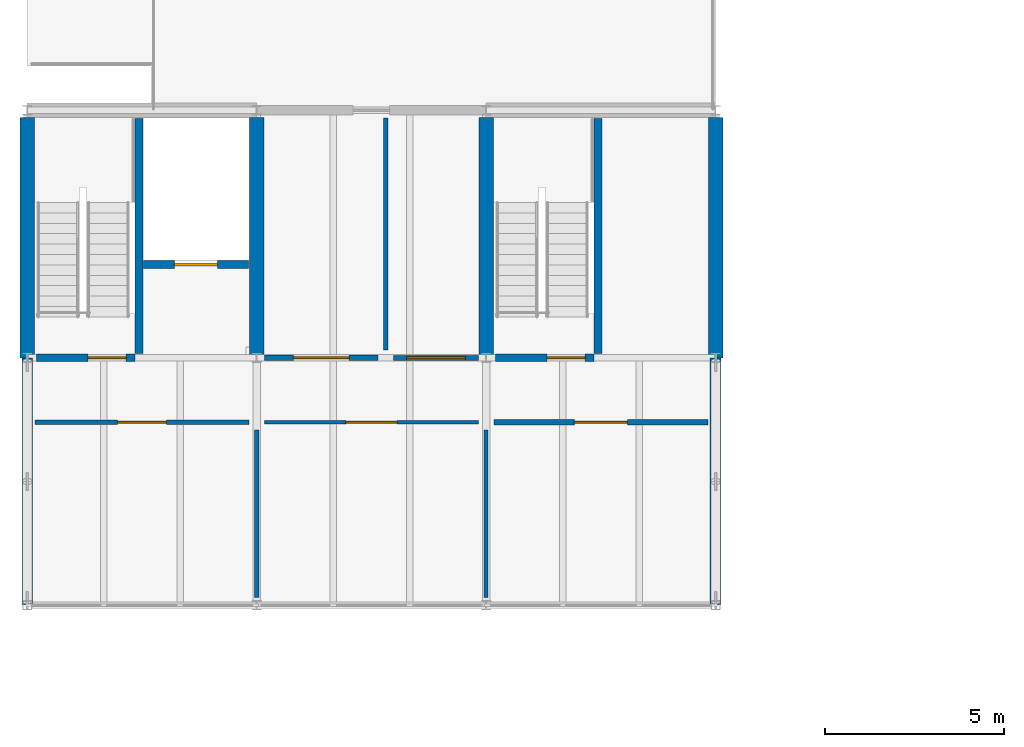
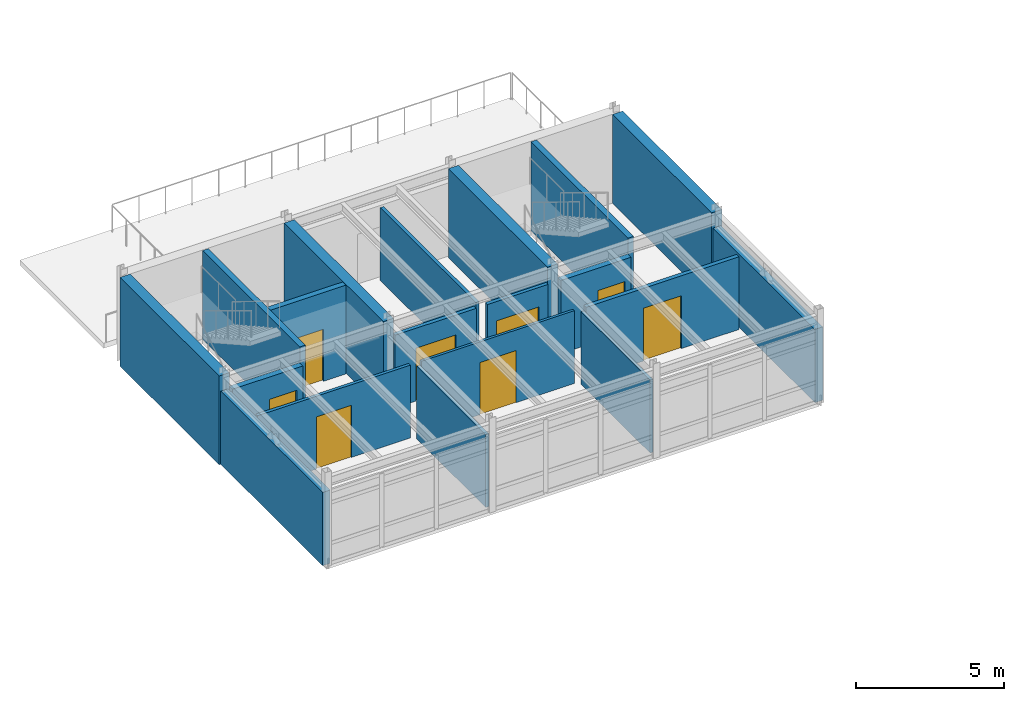
# One storey, part 16 of 20: 19 walls, 8 doors, 8 openings.
"""IFC4 building model written with IfcOpenShell, lengths in metres."""

from ifc_helpers import new_model, si_unit, direction, frame, frame_2d, origin, place, context, subcontext, project, spatial, rectangle, extrude, material, layer, layer_set, type_object, element, fill, save


model = new_model("IFC4")

# Units and contexts
model_context = context("Model", 3, precision=1e-05, world=origin(), true_north=direction((0.0, 1.0)))
body_context = subcontext(model_context, "Body", "Model", "MODEL_VIEW")
ifc_project = project(units=[si_unit("LENGTHUNIT", "METRE"), si_unit("AREAUNIT", "SQUARE_METRE"), si_unit("VOLUMEUNIT", "CUBIC_METRE"), si_unit("PLANEANGLEUNIT", "RADIAN"), si_unit("MASSUNIT", "GRAM", prefix="KILO")], contexts=[model_context])

# Site, building, storey
site_placement = place(None, origin())
site = spatial("IfcSite", under=ifc_project, at=site_placement, CompositionType="ELEMENT")
building_placement = place(site_placement, origin())
building = spatial("IfcBuilding", under=site, at=building_placement, Name="Trelmorton Wharf Fire Station", CompositionType="ELEMENT")
storey_placement = place(building_placement, frame((0.0, 0.0, 21.300048828125)))
storey = spatial("IfcBuildingStorey", under=building, at=storey_placement, Name="L05", CompositionType="ELEMENT", Elevation=21.300048828125)

# Walls
ifc_material_1 = material(Name="Precast concrete 45 MPa", Category="concrete")
ifc_layer_1 = layer(ifc_material_1, 0.2900390625)
ifc_layer_set_1 = layer_set([ifc_layer_1], Name="Precast concrete 45 MPa")
wall_type_1 = type_object("IfcWallType", Name="EW_TERR_290", PredefinedType="SOLIDWALL", material=ifc_layer_set_1)
wall_1_placement = place(storey_placement, frame((70.800048828125, 60.304931640625, 0.0), z_axis=(0.0, 0.0, 1.0), x_axis=(0.0, 1.0, 0.0)))
element("IfcWall", 1, at=wall_1_placement, inside=storey, type_object=wall_type_1, Name="EW-V2-L05-0195", PredefinedType="SOLIDWALL", context=body_context, shape_type="SweptSolid", body=[
    extrude(rectangle(XDim=6.89013671875, YDim=0.2900390625, at=frame_2d((3.445068359375, 0.0))), origin(), (0.0, 0.0, 1.0), 3.02001953125),
])
ifc_layer_2 = layer(ifc_material_1, 0.31005859375)
ifc_layer_set_2 = layer_set([ifc_layer_2], Name="Precast concrete 45 MPa")
wall_type_2 = type_object("IfcWallType", Name="EW_TERR_310", PredefinedType="SOLIDWALL", material=ifc_layer_set_2)
wall_2_placement = place(storey_placement, frame((90.0, 67.195068359375, 0.0), z_axis=(0.0, 0.0, 1.0), x_axis=(0.0, -1.0, 0.0)))
element("IfcWall", 2, at=wall_2_placement, inside=storey, type_object=wall_type_2, Name="EW-V2-L05-0196", PredefinedType="SOLIDWALL", context=body_context, shape_type="SweptSolid", body=[
    extrude(rectangle(XDim=6.89013671875, YDim=0.31005859375, at=frame_2d((3.445068359375, 0.0))), origin(), (0.0, 0.0, 1.0), 3.02001953125),
])

# Wall, opening, door
ifc_material_2 = material(Name="Gypsum plasterboard partition")
ifc_layer_3 = layer(ifc_material_2, 0.14990234375)
ifc_layer_set_3 = layer_set([ifc_layer_3], Name="Gypsum plasterboard partition")
wall_type_3 = type_object("IfcWallType", Name="IW_ACOU_150", PredefinedType="PARTITIONING", material=ifc_layer_set_3)
wall_3_placement = place(storey_placement, frame((77.419921875, 67.199951171875, 0.0), z_axis=(0.0, 0.0, 1.0), x_axis=(1.0, 0.0, 0.0)))
wall_3 = element("IfcWall", 3, at=wall_3_placement, inside=storey, type_object=wall_type_3, Name="IW-L05-0261", PredefinedType="PARTITIONING", context=body_context, shape_type="SweptSolid", body=[
    extrude(rectangle(XDim=3.16015625, YDim=0.14990234375, at=frame_2d((1.580078125, 0.0))), origin(), (0.0, 0.0, 1.0), 3.0),
])
opening_1_placement = place(wall_3_placement, frame((0.800048828125, 0.0, 0.0)))
opening_1 = element("IfcOpeningElement", 4, at=opening_1_placement, cuts=wall_3, Name="Opening D-177", PredefinedType="OPENING", context=body_context, shape_type="SweptSolid", body=[
    extrude(rectangle(XDim=1.56005859375, YDim=2.179931640625, at=frame_2d((0.780029296875, 1.08984375))), frame((0.0, 0.0849609375, 0.0), z_axis=(0.0, -1.0, 0.0), x_axis=(1.0, 0.0, 0.0)), (0.0, 0.0, 1.0), 0.169921875),
])
ifc_material_3 = material(Name="Acoustic timber panelling", Category="wood")
door_type_1 = type_object("IfcDoorType", Name="DR_INT_156", OperationType="DOUBLE_DOOR_SINGLE_SWING", PredefinedType="DOOR", material=ifc_material_3)
door_1_placement = place(opening_1_placement, origin())
door_1 = element("IfcDoor", 5, at=door_1_placement, inside=storey, type_object=door_type_1, Name="Interior Door D-177", OperationType="DOUBLE_DOOR_SINGLE_SWING", OverallHeight=2.179931640625, OverallWidth=1.56005859375, PredefinedType="DOOR", context=body_context, shape_type="SweptSolid", body=[
    extrude(rectangle(XDim=1.56005859375, YDim=2.179931640625, at=frame_2d((0.780029296875, 1.08984375))), frame((0.0, 0.02490234375, 0.0), z_axis=(0.0, -1.0, 0.0), x_axis=(1.0, 0.0, 0.0)), (0.0, 0.0, 1.0), 0.050048828125),
])
fill(opening_1, door_1)

ifc_layer_4 = layer(ifc_material_2, 0.159912109375)
ifc_layer_set_4 = layer_set([ifc_layer_4], Name="Gypsum plasterboard partition")
wall_type_4 = type_object("IfcWallType", Name="IW_ACOU_160", PredefinedType="PARTITIONING", material=ifc_layer_set_4)
wall_4_placement = place(storey_placement, frame((83.820068359375, 65.39990234375, 0.0), z_axis=(0.0, 0.0, 1.0), x_axis=(1.0, 0.0, 0.0)))
wall_4 = element("IfcWall", 6, at=wall_4_placement, inside=storey, type_object=wall_type_4, Name="IW-L05-0260", PredefinedType="PARTITIONING", context=body_context, shape_type="SweptSolid", body=[
    extrude(rectangle(XDim=5.9599609375, YDim=0.159912109375, at=frame_2d((2.97998046875, 0.0))), origin(), (0.0, 0.0, 1.0), 3.0),
])
opening_2_placement = place(wall_4_placement, frame((2.239990234375, 0.0, 0.0)))
opening_2 = element("IfcOpeningElement", 7, at=opening_2_placement, cuts=wall_4, Name="Opening D-176", PredefinedType="OPENING", context=body_context, shape_type="SweptSolid", body=[
    extrude(rectangle(XDim=1.47998046875, YDim=2.179931640625, at=frame_2d((0.739990234375, 1.08984375))), frame((0.0, 0.08984375, 0.0), z_axis=(0.0, -1.0, 0.0), x_axis=(1.0, 0.0, 0.0)), (0.0, 0.0, 1.0), 0.179931640625),
])
door_type_2 = type_object("IfcDoorType", Name="DR_INT_148", OperationType="DOUBLE_DOOR_SINGLE_SWING", PredefinedType="DOOR", material=ifc_material_3)
door_2_placement = place(opening_2_placement, origin())
door_2 = element("IfcDoor", 8, at=door_2_placement, inside=storey, type_object=door_type_2, Name="Interior Door D-176", OperationType="DOUBLE_DOOR_SINGLE_SWING", OverallHeight=2.179931640625, OverallWidth=1.47998046875, PredefinedType="DOOR", context=body_context, shape_type="SweptSolid", body=[
    extrude(rectangle(XDim=1.47998046875, YDim=2.179931640625, at=frame_2d((0.739990234375, 1.08984375))), frame((0.0, 0.02490234375, 0.0), z_axis=(0.0, -1.0, 0.0), x_axis=(1.0, 0.0, 0.0)), (0.0, 0.0, 1.0), 0.050048828125),
])
fill(opening_2, door_2)

# Wall
ifc_material_4 = material(Name="Concrete 40 MPa", Category="concrete")
ifc_layer_5 = layer(ifc_material_4, 0.219970703125)
ifc_layer_set_5 = layer_set([ifc_layer_5], Name="Concrete 40 MPa")
wall_type_5 = type_object("IfcWallType", Name="IW_CORE_220", PredefinedType="SOLIDWALL", material=ifc_layer_set_5)
wall_5_placement = place(storey_placement, frame((73.919921875, 67.320068359375, 0.0), z_axis=(0.0, 0.0, 1.0), x_axis=(0.0, 1.0, 0.0)))
element("IfcWall", 9, at=wall_5_placement, inside=storey, type_object=wall_type_5, Name="IW-C6-DIV-L05", PredefinedType="SOLIDWALL", context=body_context, shape_type="SweptSolid", body=[
    extrude(rectangle(XDim=6.554931640625, YDim=0.219970703125, at=frame_2d((3.27734375, 0.0))), origin(), (0.0, 0.0, 1.0), 3.659912109375),
])

# Wall, opening, door
wall_6_placement = place(storey_placement, frame((71.06005859375, 67.199951171875, 0.0), z_axis=(0.0, 0.0, 1.0), x_axis=(1.0, 0.0, 0.0)))
wall_6 = element("IfcWall", 10, at=wall_6_placement, inside=storey, type_object=wall_type_5, Name="IW-C6-SF-L05", PredefinedType="SOLIDWALL", context=body_context, shape_type="SweptSolid", body=[
    extrude(rectangle(XDim=2.739990234375, YDim=0.219970703125, at=frame_2d((1.3701171875, 0.0))), origin(), (0.0, 0.0, 1.0), 3.02001953125),
])
opening_3_placement = place(wall_6_placement, frame((1.43994140625, 0.0, 0.0)))
opening_3 = element("IfcOpeningElement", 11, at=opening_3_placement, cuts=wall_6, Name="Opening FD-033", PredefinedType="OPENING", context=body_context, shape_type="SweptSolid", body=[
    extrude(rectangle(XDim=1.06005859375, YDim=2.10009765625, at=frame_2d((0.530029296875, 1.050048828125))), frame((0.0, 0.1201171875, 0.0), z_axis=(0.0, -1.0, 0.0), x_axis=(1.0, 0.0, 0.0)), (0.0, 0.0, 1.0), 0.239990234375),
])
ifc_material_5 = material(Name="Stainless steel 316 marine grade", Category="steel")
door_type_3 = type_object("IfcDoorType", Name="DR_FIRE_106", OperationType="NOTDEFINED", PredefinedType="DOOR", material=ifc_material_5)
door_3_placement = place(opening_3_placement, origin())
door_3 = element("IfcDoor", 12, at=door_3_placement, inside=storey, type_object=door_type_3, Name="Stair Fire Door FD-033", OperationType="SINGLE_SWING_LEFT", OverallHeight=2.10009765625, OverallWidth=1.06005859375, PredefinedType="DOOR", context=body_context, shape_type="SweptSolid", body=[
    extrude(rectangle(XDim=1.06005859375, YDim=2.10009765625, at=frame_2d((0.530029296875, 1.050048828125))), frame((0.0, 0.02490234375, 0.0), z_axis=(0.0, -1.0, 0.0), x_axis=(1.0, 0.0, 0.0)), (0.0, 0.0, 1.0), 0.050048828125),
])
fill(opening_3, door_3)

wall_7_placement = place(storey_placement, frame((74.0400390625, 69.800048828125, 0.0), z_axis=(0.0, 0.0, 1.0), x_axis=(1.0, 0.0, 0.0)))
wall_7 = element("IfcWall", 13, at=wall_7_placement, inside=storey, type_object=wall_type_5, Name="IW-C6-LSH-L05", PredefinedType="SOLIDWALL", context=body_context, shape_type="SweptSolid", body=[
    extrude(rectangle(XDim=2.93505859375, YDim=0.219970703125, at=frame_2d((1.467529296875, 0.0))), origin(), (0.0, 0.0, 1.0), 3.659912109375),
])
opening_4_placement = place(wall_7_placement, frame((0.867431640625, 0.0, 0.0)))
opening_4 = element("IfcOpeningElement", 14, at=opening_4_placement, cuts=wall_7, Name="Opening LD-031", PredefinedType="OPENING", context=body_context, shape_type="SweptSolid", body=[
    extrude(rectangle(XDim=1.199951171875, YDim=2.14990234375, at=frame_2d((0.60009765625, 1.074951171875))), frame((0.0, 0.1201171875, 0.0), z_axis=(0.0, -1.0, 0.0), x_axis=(1.0, 0.0, 0.0)), (0.0, 0.0, 1.0), 0.239990234375),
])
door_type_4 = type_object("IfcDoorType", Name="DR_LIFT_120", OperationType="DOUBLE_DOOR_SLIDING", PredefinedType="DOOR", material=ifc_material_5)
door_4_placement = place(opening_4_placement, origin())
door_4 = element("IfcDoor", 15, at=door_4_placement, inside=storey, type_object=door_type_4, Name="Lift Landing Door LD-031", OperationType="DOUBLE_DOOR_SLIDING", OverallHeight=2.14990234375, OverallWidth=1.199951171875, PredefinedType="DOOR", context=body_context, shape_type="SweptSolid", body=[
    extrude(rectangle(XDim=1.199951171875, YDim=2.14990234375, at=frame_2d((0.60009765625, 1.074951171875))), frame((0.0, 0.02490234375, 0.0), z_axis=(0.0, -1.0, 0.0), x_axis=(1.0, 0.0, 0.0)), (0.0, 0.0, 1.0), 0.050048828125),
])
fill(opening_4, door_4)

# Wall
wall_8_placement = place(storey_placement, frame((86.719970703125, 67.320068359375, 0.0), z_axis=(0.0, 0.0, 1.0), x_axis=(0.0, 1.0, 0.0)))
element("IfcWall", 16, at=wall_8_placement, inside=storey, type_object=wall_type_5, Name="IW-C6B-DIV-L05", PredefinedType="SOLIDWALL", context=body_context, shape_type="SweptSolid", body=[
    extrude(rectangle(XDim=6.554931640625, YDim=0.219970703125, at=frame_2d((3.27734375, 0.0))), origin(), (0.0, 0.0, 1.0), 3.659912109375),
])

# Wall, opening, door
wall_9_placement = place(storey_placement, frame((83.860107421875, 67.199951171875, 0.0), z_axis=(0.0, 0.0, 1.0), x_axis=(1.0, 0.0, 0.0)))
wall_9 = element("IfcWall", 17, at=wall_9_placement, inside=storey, type_object=wall_type_5, Name="IW-C6B-SF-L05", PredefinedType="SOLIDWALL", context=body_context, shape_type="SweptSolid", body=[
    extrude(rectangle(XDim=2.739990234375, YDim=0.219970703125, at=frame_2d((1.3701171875, 0.0))), origin(), (0.0, 0.0, 1.0), 3.02001953125),
])
opening_5_placement = place(wall_9_placement, frame((1.43994140625, 0.0, 0.0)))
opening_5 = element("IfcOpeningElement", 18, at=opening_5_placement, cuts=wall_9, Name="Opening FD-040", PredefinedType="OPENING", context=body_context, shape_type="SweptSolid", body=[
    extrude(rectangle(XDim=1.06005859375, YDim=2.10009765625, at=frame_2d((0.530029296875, 1.050048828125))), frame((0.0, 0.1201171875, 0.0), z_axis=(0.0, -1.0, 0.0), x_axis=(1.0, 0.0, 0.0)), (0.0, 0.0, 1.0), 0.239990234375),
])
door_5_placement = place(opening_5_placement, origin())
door_5 = element("IfcDoor", 19, at=door_5_placement, inside=storey, type_object=door_type_3, Name="Stair Fire Door FD-040", OperationType="SINGLE_SWING_RIGHT", OverallHeight=2.10009765625, OverallWidth=1.06005859375, PredefinedType="DOOR", context=body_context, shape_type="SweptSolid", body=[
    extrude(rectangle(XDim=1.06005859375, YDim=2.10009765625, at=frame_2d((0.530029296875, 1.050048828125))), frame((0.0, 0.02490234375, 0.0), z_axis=(0.0, -1.0, 0.0), x_axis=(1.0, 0.0, 0.0)), (0.0, 0.0, 1.0), 0.050048828125),
])
fill(opening_5, door_5)

ifc_layer_6 = layer(ifc_material_2, 0.10009765625)
ifc_layer_set_6 = layer_set([ifc_layer_6], Name="Gypsum plasterboard partition")
wall_type_6 = type_object("IfcWallType", Name="IW_PART_100", PredefinedType="PARTITIONING", material=ifc_layer_set_6)
wall_10_placement = place(storey_placement, frame((77.419921875, 65.39990234375, 0.0), z_axis=(0.0, 0.0, 1.0), x_axis=(1.0, 0.0, 0.0)))
wall_10 = element("IfcWall", 20, at=wall_10_placement, inside=storey, type_object=wall_type_6, Name="IW-L05-0259", PredefinedType="PARTITIONING", context=body_context, shape_type="SweptSolid", body=[
    extrude(rectangle(XDim=5.9599609375, YDim=0.10009765625, at=frame_2d((2.97998046875, 0.0))), origin(), (0.0, 0.0, 1.0), 3.0),
])
opening_6_placement = place(wall_10_placement, frame((2.27001953125, 0.0, 0.0)))
opening_6 = element("IfcOpeningElement", 21, at=opening_6_placement, cuts=wall_10, Name="Opening D-175", PredefinedType="OPENING", context=body_context, shape_type="SweptSolid", body=[
    extrude(rectangle(XDim=1.419921875, YDim=2.14990234375, at=frame_2d((0.7099609375, 1.074951171875))), frame((0.0, 0.06005859375, 0.0), z_axis=(0.0, -1.0, 0.0), x_axis=(1.0, 0.0, 0.0)), (0.0, 0.0, 1.0), 0.1201171875),
])
door_type_5 = type_object("IfcDoorType", Name="DR_INT_142", OperationType="DOUBLE_DOOR_SINGLE_SWING", PredefinedType="DOOR", material=ifc_material_3)
door_6_placement = place(opening_6_placement, origin())
door_6 = element("IfcDoor", 22, at=door_6_placement, inside=storey, type_object=door_type_5, Name="Interior Door D-175", OperationType="DOUBLE_DOOR_SINGLE_SWING", OverallHeight=2.14990234375, OverallWidth=1.419921875, PredefinedType="DOOR", context=body_context, shape_type="SweptSolid", body=[
    extrude(rectangle(XDim=1.419921875, YDim=2.14990234375, at=frame_2d((0.7099609375, 1.074951171875))), frame((0.0, 0.02490234375, 0.0), z_axis=(0.0, -1.0, 0.0), x_axis=(1.0, 0.0, 0.0)), (0.0, 0.0, 1.0), 0.050048828125),
])
fill(opening_6, door_6)

# Walls
ifc_layer_7 = layer(ifc_material_2, 0.110107421875)
ifc_layer_set_7 = layer_set([ifc_layer_7], Name="Gypsum plasterboard partition")
wall_type_7 = type_object("IfcWallType", Name="IW_PART_110", PredefinedType="PARTITIONING", material=ifc_layer_set_7)
wall_11_placement = place(storey_placement, frame((83.60009765625, 60.52001953125, 0.0), z_axis=(0.0, 0.0, 1.0), x_axis=(0.0, 1.0, 0.0)))
element("IfcWall", 23, at=wall_11_placement, inside=storey, type_object=wall_type_7, Name="IW-L05-0258", PredefinedType="PARTITIONING", context=body_context, shape_type="SweptSolid", body=[
    extrude(rectangle(XDim=4.659912109375, YDim=0.110107421875, at=frame_2d((2.330078125, 0.0))), origin(), (0.0, 0.0, 1.0), 3.0),
])
ifc_layer_8 = layer(ifc_material_2, 0.1298828125)
ifc_layer_set_8 = layer_set([ifc_layer_8], Name="Gypsum plasterboard partition")
wall_type_8 = type_object("IfcWallType", Name="IW_PART_130", PredefinedType="PARTITIONING", material=ifc_layer_set_8)
wall_12_placement = place(storey_placement, frame((77.199951171875, 60.52001953125, 0.0), z_axis=(0.0, 0.0, 1.0), x_axis=(0.0, 1.0, 0.0)))
element("IfcWall", 24, at=wall_12_placement, inside=storey, type_object=wall_type_8, Name="IW-L05-0256", PredefinedType="PARTITIONING", context=body_context, shape_type="SweptSolid", body=[
    extrude(rectangle(XDim=4.659912109375, YDim=0.1298828125, at=frame_2d((2.330078125, 0.0))), origin(), (0.0, 0.0, 1.0), 3.0),
])
wall_13_placement = place(storey_placement, frame((80.800048828125, 67.419921875, 0.0), z_axis=(0.0, 0.0, 1.0), x_axis=(0.0, 1.0, 0.0)))
element("IfcWall", 25, at=wall_13_placement, inside=storey, type_object=wall_type_8, Name="IW-L05-0263", PredefinedType="PARTITIONING", context=body_context, shape_type="SweptSolid", body=[
    extrude(rectangle(XDim=6.4599609375, YDim=0.1298828125, at=frame_2d((3.22998046875, 0.0))), origin(), (0.0, 0.0, 1.0), 3.0),
])

# Wall, opening, door
ifc_layer_9 = layer(ifc_material_2, 0.139892578125)
ifc_layer_set_9 = layer_set([ifc_layer_9], Name="Gypsum plasterboard partition")
wall_type_9 = type_object("IfcWallType", Name="IW_PART_140", PredefinedType="PARTITIONING", material=ifc_layer_set_9)
wall_14_placement = place(storey_placement, frame((81.02001953125, 67.199951171875, 0.0), z_axis=(0.0, 0.0, 1.0), x_axis=(1.0, 0.0, 0.0)))
wall_14 = element("IfcWall", 26, at=wall_14_placement, inside=storey, type_object=wall_type_9, Name="IW-L05-0262", PredefinedType="PARTITIONING", context=body_context, shape_type="SweptSolid", body=[
    extrude(rectangle(XDim=2.35986328125, YDim=0.139892578125, at=frame_2d((1.179931640625, 0.0))), origin(), (0.0, 0.0, 1.0), 3.0),
])
opening_7_placement = place(wall_14_placement, frame((0.360107421875, 0.0, 0.0)))
opening_7 = element("IfcOpeningElement", 27, at=opening_7_placement, cuts=wall_14, Name="Opening D-178", PredefinedType="OPENING", context=body_context, shape_type="SweptSolid", body=[
    extrude(rectangle(XDim=1.639892578125, YDim=2.199951171875, at=frame_2d((0.81982421875, 1.10009765625))), frame((0.0, 0.080078125, 0.0), z_axis=(0.0, -1.0, 0.0), x_axis=(1.0, 0.0, 0.0)), (0.0, 0.0, 1.0), 0.159912109375),
])
door_type_6 = type_object("IfcDoorType", Name="DR_INT_164", OperationType="DOUBLE_DOOR_SINGLE_SWING", PredefinedType="DOOR", material=ifc_material_3)
door_7_placement = place(opening_7_placement, origin())
door_7 = element("IfcDoor", 28, at=door_7_placement, inside=storey, type_object=door_type_6, Name="Interior Door D-178", OperationType="DOUBLE_DOOR_SINGLE_SWING", OverallHeight=2.199951171875, OverallWidth=1.639892578125, PredefinedType="DOOR", context=body_context, shape_type="SweptSolid", body=[
    extrude(rectangle(XDim=1.639892578125, YDim=2.199951171875, at=frame_2d((0.81982421875, 1.10009765625))), frame((0.0, 0.02490234375, 0.0), z_axis=(0.0, -1.0, 0.0), x_axis=(1.0, 0.0, 0.0)), (0.0, 0.0, 1.0), 0.050048828125),
])
fill(opening_7, door_7)

ifc_layer_10 = layer(ifc_material_2, 0.1201171875)
ifc_layer_set_10 = layer_set([ifc_layer_10], Name="Gypsum plasterboard partition")
wall_type_10 = type_object("IfcWallType", Name="IW_WET_120", PredefinedType="PARTITIONING", material=ifc_layer_set_10)
wall_15_placement = place(storey_placement, frame((71.02001953125, 65.39990234375, 0.0), z_axis=(0.0, 0.0, 1.0), x_axis=(1.0, 0.0, 0.0)))
wall_15 = element("IfcWall", 29, at=wall_15_placement, inside=storey, type_object=wall_type_10, Name="IW-L05-0257", PredefinedType="PARTITIONING", context=body_context, shape_type="SweptSolid", body=[
    extrude(rectangle(XDim=5.9599609375, YDim=0.1201171875, at=frame_2d((2.97998046875, 0.0))), origin(), (0.0, 0.0, 1.0), 3.0),
])
opening_8_placement = place(wall_15_placement, frame((2.300048828125, 0.0, 0.0)))
opening_8 = element("IfcOpeningElement", 30, at=opening_8_placement, cuts=wall_15, Name="Opening D-174", PredefinedType="OPENING", context=body_context, shape_type="SweptSolid", body=[
    extrude(rectangle(XDim=1.360107421875, YDim=2.14990234375, at=frame_2d((0.68017578125, 1.074951171875))), frame((0.0, 0.070068359375, 0.0), z_axis=(0.0, -1.0, 0.0), x_axis=(1.0, 0.0, 0.0)), (0.0, 0.0, 1.0), 0.14013671875),
])
door_type_7 = type_object("IfcDoorType", Name="DR_INT_136", OperationType="DOUBLE_DOOR_SINGLE_SWING", PredefinedType="DOOR", material=ifc_material_3)
door_8_placement = place(opening_8_placement, origin())
door_8 = element("IfcDoor", 31, at=door_8_placement, inside=storey, type_object=door_type_7, Name="Interior Door D-174", OperationType="DOUBLE_DOOR_SINGLE_SWING", OverallHeight=2.14990234375, OverallWidth=1.360107421875, PredefinedType="DOOR", context=body_context, shape_type="SweptSolid", body=[
    extrude(rectangle(XDim=1.360107421875, YDim=2.14990234375, at=frame_2d((0.68017578125, 1.074951171875))), frame((0.0, 0.02490234375, 0.0), z_axis=(0.0, -1.0, 0.0), x_axis=(1.0, 0.0, 0.0)), (0.0, 0.0, 1.0), 0.050048828125),
])
fill(opening_8, door_8)

# Walls
ifc_material_6 = material(Name="Concrete 50 MPa", Category="concrete")
ifc_layer_11 = layer(ifc_material_6, 0.39990234375)
ifc_layer_set_11 = layer_set([ifc_layer_11], Name="Concrete 50 MPa")
wall_type_11 = type_object("IfcWallType", Name="WL_CORE_400", PredefinedType="SHEAR", material=ifc_layer_set_11)
for number, where, z_axis, x_axis, name in (
    (32, (70.800048828125, 67.199951171875, 0.0), (0.0, 0.0, 1.0), (0.0, 1.0, 0.0), "WL-SW-C6-L05-098"),
    (33, (77.199951171875, 67.199951171875, 0.0), (0.0, 0.0, 1.0), (0.0, 1.0, 0.0), "WL-SW-C6-L05-099"),
    (34, (83.60009765625, 67.199951171875, 0.0), (0.0, 0.0, 1.0), (0.0, 1.0, 0.0), "WL-SW-C6B-L05-119"),
    (35, (90.0, 67.199951171875, 0.0), (0.0, 0.0, 1.0), (0.0, 1.0, 0.0), "WL-SW-C6B-L05-120"),
):
    element("IfcWall", number, at=place(storey_placement, frame(where, z_axis=z_axis, x_axis=x_axis)), inside=storey, type_object=wall_type_11, Name=name, PredefinedType="SHEAR", context=body_context, shape_type="SweptSolid", body=[
        extrude(rectangle(XDim=6.699951171875, YDim=0.39990234375, at=frame_2d((3.35009765625, 0.0))), origin(), (0.0, 0.0, 1.0), 3.659912109375),
    ])

save(model, "model.ifc")
